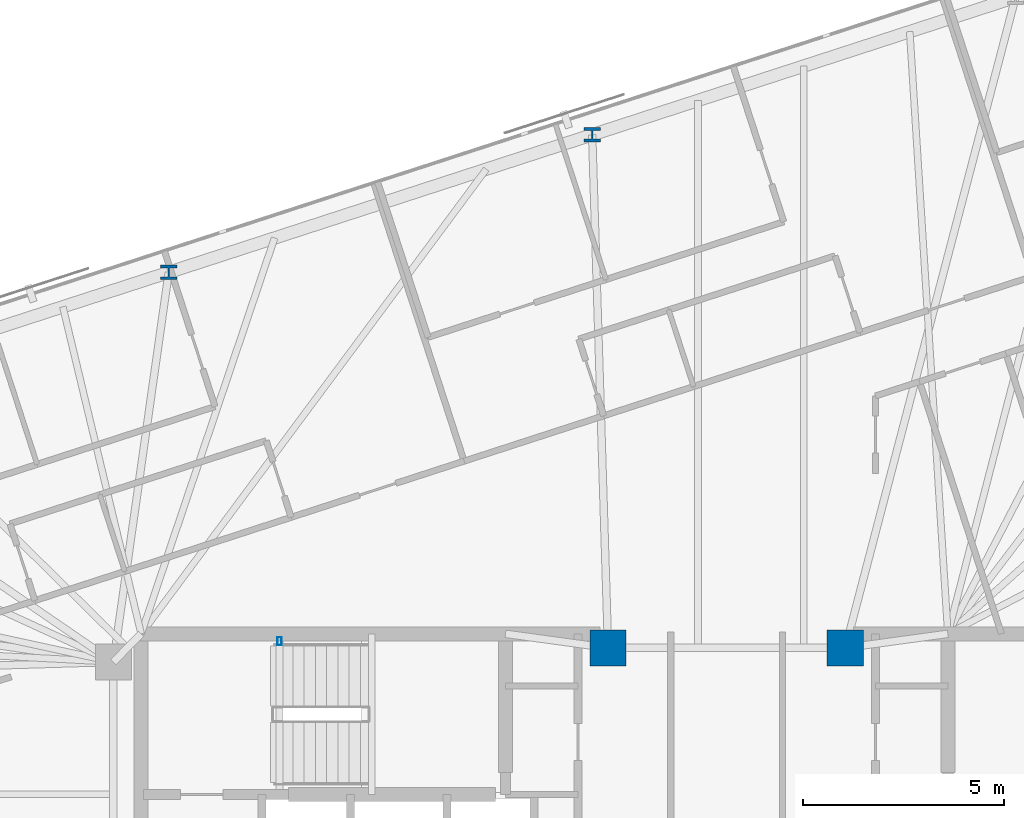
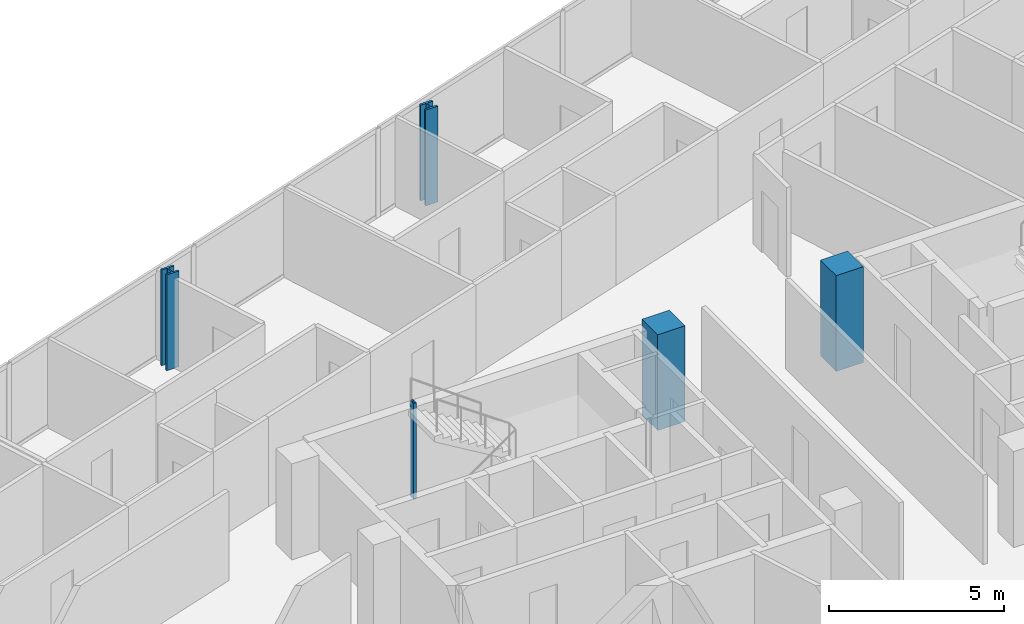
# One storey, part 2 of 20: 5 columns.
"""IFC4 building model written with IfcOpenShell, lengths in metres."""

from ifc_helpers import new_model, si_unit, direction, frame, origin, origin_2d, place, context, subcontext, project, spatial, rectangle, hollow_rectangle, i_section, extrude, material, material_profile, profile_set, type_object, element, save


model = new_model("IFC4")

# Units and contexts
model_context = context("Model", 3, precision=1e-05, world=origin(), true_north=direction((0.0, 1.0)))
body_context = subcontext(model_context, "Body", "Model", "MODEL_VIEW")
ifc_project = project(units=[si_unit("LENGTHUNIT", "METRE"), si_unit("AREAUNIT", "SQUARE_METRE"), si_unit("VOLUMEUNIT", "CUBIC_METRE"), si_unit("PLANEANGLEUNIT", "RADIAN"), si_unit("MASSUNIT", "GRAM", prefix="KILO")], contexts=[model_context])

# Site, building, storey
site_placement = place(None, origin())
site = spatial("IfcSite", under=ifc_project, at=site_placement, CompositionType="ELEMENT")
building_placement = place(site_placement, origin())
building = spatial("IfcBuilding", under=site, at=building_placement, Name="Menara Jurai Vektor", CompositionType="ELEMENT")
storey_placement = place(building_placement, frame((0.0, 0.0, 244.39990234375)))
storey = spatial("IfcBuildingStorey", under=building, at=storey_placement, Name="L65", CompositionType="ELEMENT", Elevation=244.39990234375)

# Columns
ifc_material_1 = material(Name="Concrete C50/60", Category="concrete")
ifc_material_profile_1 = material_profile(ifc_material_1, rectangle(XDim=0.89990234375, YDim=0.89990234375, at=origin_2d()), Name="RC 900x900")
ifc_profile_set_1 = profile_set([ifc_material_profile_1], Name="Concrete C50/60")
column_type_1 = type_object("IfcColumnType", Name="STR-COL-RC900", PredefinedType="COLUMN", material=ifc_profile_set_1)
for number, where, z_axis, x_axis, name in (
    (1, (-2.949951171875, 5.25, 0.0), (0.0, 0.0, 1.0), (1.0, 0.0, 0.0), "Core Spine Column CW-NE L65"),
    (2, (2.949951171875, 5.25, 0.0), (0.0, 0.0, 1.0), (1.0, 0.0, 0.0), "Core Spine Column CE-NW L65"),
):
    element("IfcColumn", number, at=place(storey_placement, frame(where, z_axis=z_axis, x_axis=x_axis)), inside=storey, type_object=column_type_1, Name=name, PredefinedType="COLUMN", context=body_context, shape_type="SweptSolid", body=[
        extrude(rectangle(XDim=0.89990234375, YDim=0.89990234375, at=origin_2d()), origin(), (0.0, 0.0, 1.0), 3.35009765625),
    ])
ifc_material_2 = material(Name="Steel S355", Category="steel")
ifc_material_profile_2 = material_profile(ifc_material_2, hollow_rectangle(XDim=0.10009765625, YDim=0.199951171875, WallThickness=0.008056640625, at=origin_2d()), Name="RHS 200x100x8")
ifc_profile_set_2 = profile_set([ifc_material_profile_2], Name="Steel S355")
column_type_2 = type_object("IfcColumnType", Name="STR-COL-STAIR", PredefinedType="COLUMN", material=ifc_profile_set_2)
column_placement = place(storey_placement, frame((-11.1201171875, 5.419921875, 0.0), z_axis=(0.0, 0.0, 1.0), x_axis=(1.0, 0.0, 0.0)))
element("IfcColumn", 3, at=column_placement, inside=storey, type_object=column_type_2, Name="Stair Well Header Column ST1-P2 L65", PredefinedType="COLUMN", context=body_context, shape_type="SweptSolid", body=[
    extrude(hollow_rectangle(XDim=0.10009765625, YDim=0.199951171875, WallThickness=0.008056640625, at=origin_2d()), origin(), (0.0, 0.0, 1.0), 3.35009765625),
])
ifc_material_3 = material(Name="Steel S460", Category="steel")
ifc_material_profile_3 = material_profile(ifc_material_3, i_section(OverallWidth=0.405029296875, OverallDepth=0.35498046875, WebThickness=0.0419921875, FlangeThickness=0.068115234375, FilletRadius=0.014892578125, at=origin_2d()), Name="HD 400x551")
ifc_profile_set_3 = profile_set([ifc_material_profile_3], Name="Steel S460")
column_type_3 = type_object("IfcColumnType", Name="STR-EXO-BLK4", PredefinedType="COLUMN", material=ifc_profile_set_3)
for number, where, z_axis, x_axis, name in (
    (4, (-3.345703125, 18.008544921875, 0.0), (0.0, 0.0, 1.0), (1.0, 0.0, 0.0), "Exoskeleton Column BLK4-N3 L65"),
    (5, (-13.875, 14.58740234375, 0.0), (0.0, 0.0, 1.0), (1.0, 0.0, 0.0), "Exoskeleton Column BLK4-N4 L65"),
):
    element("IfcColumn", number, at=place(storey_placement, frame(where, z_axis=z_axis, x_axis=x_axis)), inside=storey, type_object=column_type_3, Name=name, PredefinedType="COLUMN", context=body_context, shape_type="SweptSolid", body=[
        extrude(i_section(OverallWidth=0.405029296875, OverallDepth=0.35498046875, WebThickness=0.0419921875, FlangeThickness=0.068115234375, FilletRadius=0.014892578125, at=origin_2d()), origin(), (0.0, 0.0, 1.0), 3.35009765625),
    ])

save(model, "model.ifc")
